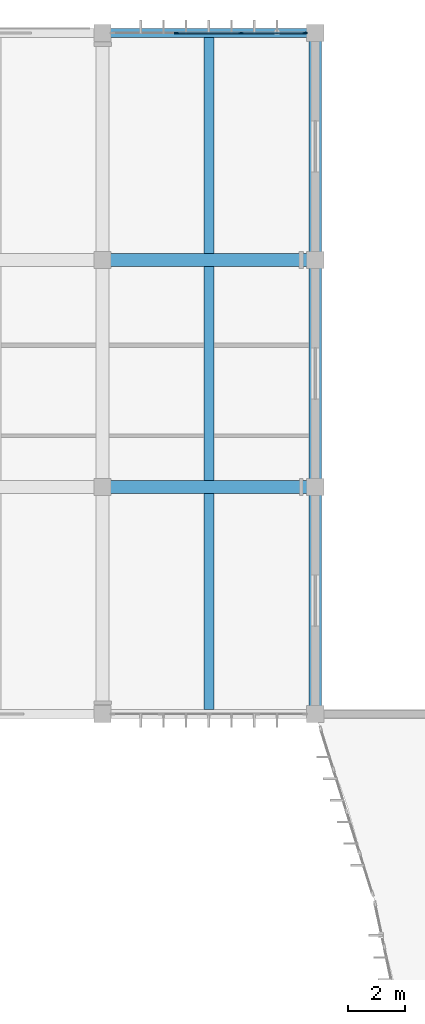
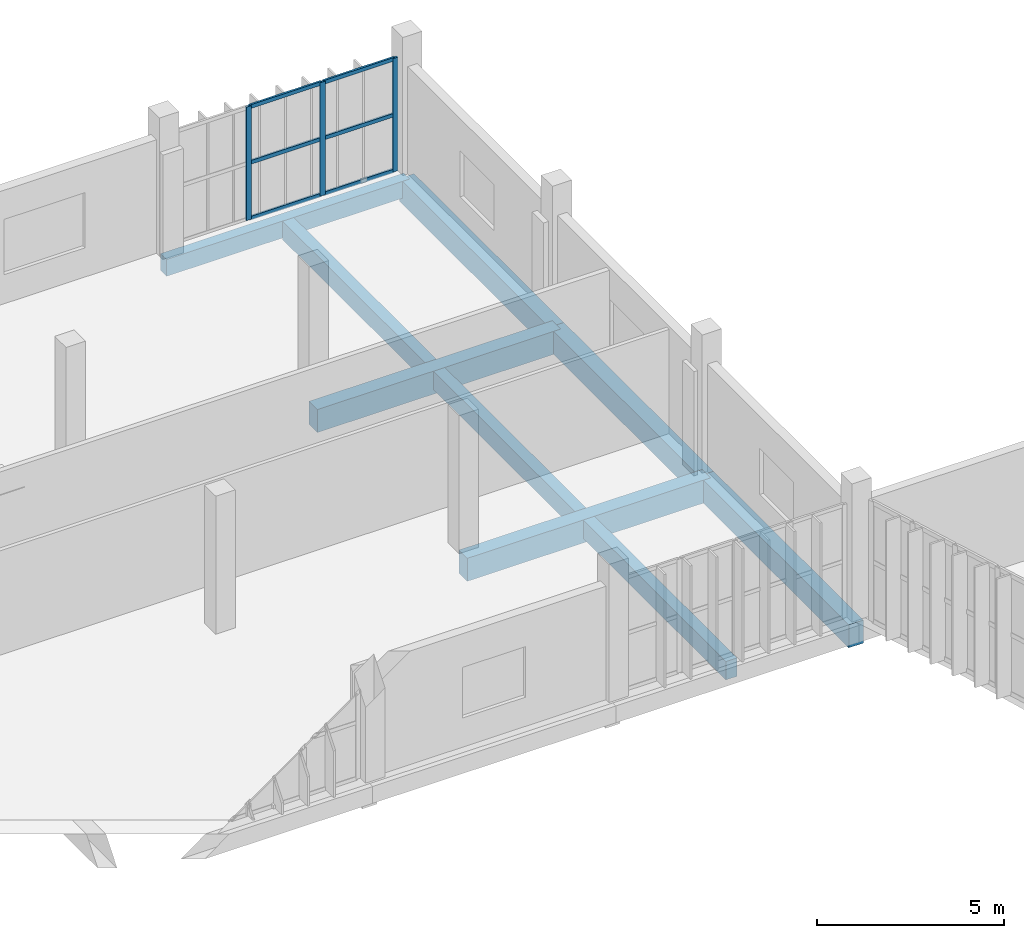
# One storey, part 38 of 81: 9 beams, 9 members, 1 element without a shape of its own.
"""IFC4 building model written with IfcOpenShell, lengths in metres."""

import ifcopenshell
import ifcopenshell.guid

model = None  # the IFC model being written
_history = None  # IfcOwnerHistory: only IFC2X3 demands one
_inside = {}  # id of a spatial element -> (the spatial element, [elements in it])
_under = {}  # id of a project, library or spatial element -> (it, [spatial elements below it])
_declared = {}  # id of a project -> (the project, [libraries it declares])
_typed = {}  # id of a type object -> (the type object, [elements of that type])
_made_of = {}  # id of a material, layer set ... -> (it, [elements and type objects made of it])


def new_model(schema):
    """Start an empty IFC model of exactly this schema.

    Asked for "IFC4X3", IfcOpenShell would pick the latest addendum, in which some entities
    have other attributes; the version numbers below select the first issue.
    IFC2X3 requires an IfcOwnerHistory on every rooted entity: one is made here for all.
    """
    global model, _history
    if schema == "IFC4X3":
        model = ifcopenshell.file(schema_version=(4, 3, 0, 0))
    else:
        model = ifcopenshell.file(schema=schema)
    _inside.clear()
    _under.clear()
    _declared.clear()
    _typed.clear()
    _made_of.clear()
    _history = None
    if model.schema == "IFC2X3":
        org = make("IfcOrganization", Name="unknown")
        user = make(
            "IfcPersonAndOrganization",
            ThePerson=make("IfcPerson", FamilyName="unknown"),
            TheOrganization=org,
        )
        app = make(
            "IfcApplication",
            ApplicationDeveloper=org,
            Version="unknown",
            ApplicationFullName="unknown",
            ApplicationIdentifier="unknown",
        )
        _history = make(
            "IfcOwnerHistory",
            OwningUser=user,
            OwningApplication=app,
            ChangeAction="ADDED",
            CreationDate=0,
        )
    return model


def make(cls, **values):
    """One entity of the class cls with the attributes given. An attribute that is None is left unset."""
    return model.create_entity(
        cls, **{name: value for name, value in values.items() if value is not None}
    )


def rooted(cls, **values):
    """An entity with a GlobalId (a new one), such as an element, a storey or a relation."""
    return make(cls, GlobalId=ifcopenshell.guid.new(), OwnerHistory=_history, **values)


def si_unit(unit_type, name, prefix=None):
    """IfcSIUnit, for example si_unit("LENGTHUNIT", "METRE", prefix="MILLI")."""
    return make("IfcSIUnit", UnitType=unit_type, Prefix=prefix, Name=name)


def assignment(units):
    """IfcUnitAssignment: the units of a project."""
    return None if units is None else make("IfcUnitAssignment", Units=units)


def point(xyz):
    """IfcCartesianPoint."""
    return None if xyz is None else make("IfcCartesianPoint", Coordinates=xyz)


def direction(xyz):
    """IfcDirection."""
    return None if xyz is None else make("IfcDirection", DirectionRatios=xyz)


def frame(location, z_axis=None, x_axis=None):
    """IfcAxis2Placement3D, a coordinate frame: its origin and axes. An axis left out is left unset."""
    return make(
        "IfcAxis2Placement3D",
        Location=point(location),
        Axis=direction(z_axis),
        RefDirection=direction(x_axis),
    )


def frame_2d(location, x_axis=None):
    """IfcAxis2Placement2D, a coordinate frame in the plane: its origin and x axis."""
    return make(
        "IfcAxis2Placement2D", Location=point(location), RefDirection=direction(x_axis)
    )


def origin():
    """The frame at (0, 0, 0) with its axes left unset."""
    return frame((0.0, 0.0, 0.0))


def origin_2d():
    """The frame at (0, 0) in the plane with its x axis left unset."""
    return frame_2d((0.0, 0.0))


def place(relative_to, where):
    """IfcLocalPlacement: puts the frame where relative to a parent placement (None: the world)."""
    return make(
        "IfcLocalPlacement", PlacementRelTo=relative_to, RelativePlacement=where
    )


def context(
    kind, dimensions, precision=None, world=None, true_north=None, identifier=None
):
    """IfcGeometricRepresentationContext, for example the 3D "Model" context."""
    return make(
        "IfcGeometricRepresentationContext",
        ContextIdentifier=identifier,
        ContextType=kind,
        CoordinateSpaceDimension=dimensions,
        Precision=precision,
        WorldCoordinateSystem=world,
        TrueNorth=true_north,
    )


def subcontext(parent, identifier, kind, view, scale=None):
    """IfcGeometricRepresentationSubContext, for example "Body" below "Model"."""
    return make(
        "IfcGeometricRepresentationSubContext",
        ContextIdentifier=identifier,
        ContextType=kind,
        ParentContext=parent,
        TargetScale=scale,
        TargetView=view,
    )


def project(units=None, contexts=None):
    """IfcProject with its units and contexts."""
    return rooted(
        "IfcProject",
        Name="project",
        RepresentationContexts=contexts,
        UnitsInContext=assignment(units),
    )


def spatial(cls, under=None, at=None, **own):
    """A site, building, storey or space (cls), placed at a placement, below another one or the project."""
    s = rooted(cls, ObjectPlacement=at, **own)
    if under is not None:
        _under.setdefault(under.id(), (under, []))[1].append(s)
    return s


def profile(cls, at=None, kind="AREA", **sizes):
    """A parametric profile (cls). Its sizes go by their IFC names, for example OverallWidth=200.0."""
    return make(cls, ProfileType=kind, Position=at, **sizes)


def rectangle(**sizes):
    """IfcRectangleProfileDef."""
    return profile("IfcRectangleProfileDef", **sizes)


def extrude(swept, where, along, depth):
    """IfcExtrudedAreaSolid: the profile swept, set in the frame where, extruded along a direction by depth."""
    return make(
        "IfcExtrudedAreaSolid",
        SweptArea=swept,
        Position=where,
        ExtrudedDirection=direction(along),
        Depth=depth,
    )


def shape(context_of_items, identifier, shape_type, items):
    """IfcShapeRepresentation: the items that make up one representation, for example the "Body"."""
    return make(
        "IfcShapeRepresentation",
        ContextOfItems=context_of_items,
        RepresentationIdentifier=identifier,
        RepresentationType=shape_type,
        Items=items,
    )


def material(Name=None, Category=None):
    """IfcMaterial."""
    return make("IfcMaterial", Name=Name, Category=Category)


def material_profile(
    of_material, cross_section, Name=None, Category=None, Priority=None
):
    """IfcMaterialProfile: a cross section and its material."""
    return make(
        "IfcMaterialProfile",
        Name=Name,
        Material=of_material,
        Profile=cross_section,
        Priority=Priority,
        Category=Category,
    )


def profile_set(profiles, Name=None, composite=None):
    """IfcMaterialProfileSet."""
    return make(
        "IfcMaterialProfileSet",
        Name=Name,
        MaterialProfiles=profiles,
        CompositeProfile=composite,
    )


def made_of(thing, what):
    """Note that an element or type object is made of a material, layer set ...; save() writes the relation."""
    if what is not None:
        _made_of.setdefault(what.id(), (what, []))[1].append(thing)
    return thing


def type_object(cls, material=None, **own):
    """A type object (cls), such as IfcWallType, which elements share."""
    return made_of(rooted(cls, **own), material)


def element(
    cls,
    number,
    at=None,
    inside=None,
    cuts=None,
    type_object=None,
    material=None,
    context=None,
    identifier="Body",
    shape_type=None,
    held_by="IfcProductDefinitionShape",
    body=None,
    shapes=None,
    **own,
):
    """One element of the class cls, such as IfcWall. Its Tag is "e" and its number.

    at: its placement. inside: the storey or other place that contains it. cuts: it is an
    opening in that element (IfcRelVoidsElement). A single representation is given by context,
    identifier, shape_type and body (its items); several are given by shapes. held_by: the class
    of the entity that holds the representations. save() writes the other relations.
    """
    e = rooted(cls, Tag="e%d" % number, ObjectPlacement=at, **own)
    if body is not None:
        shapes = [shape(context, identifier, shape_type, body)]
    if shapes is not None:
        e.Representation = make(held_by, Representations=shapes)
    if inside is not None:
        _inside.setdefault(inside.id(), (inside, []))[1].append(e)
    if cuts is not None:
        rooted(
            "IfcRelVoidsElement", RelatingBuildingElement=cuts, RelatedOpeningElement=e
        )
    if type_object is not None:
        _typed.setdefault(type_object.id(), (type_object, []))[1].append(e)
    return made_of(e, material)


def aggregate(whole, parts):
    """IfcRelAggregates: a whole, such as a stair, and the parts it consists of."""
    return rooted("IfcRelAggregates", RelatingObject=whole, RelatedObjects=parts)


def save(model, path):
    """Write the relations noted so far, then the file.

    IfcRelAggregates (storeys below a building ...), IfcRelContainedInSpatialStructure (elements
    in a storey), IfcRelDefinesByType, IfcRelAssociatesMaterial and IfcRelDeclares: one each for
    every whole, place, type object, material and project.
    """
    for whole, parts in _under.values():
        aggregate(whole, parts)
    for where, things in _inside.values():
        rooted(
            "IfcRelContainedInSpatialStructure",
            RelatedElements=things,
            RelatingStructure=where,
        )
    for kind, things in _typed.values():
        rooted("IfcRelDefinesByType", RelatedObjects=things, RelatingType=kind)
    for what, things in _made_of.values():
        rooted("IfcRelAssociatesMaterial", RelatedObjects=things, RelatingMaterial=what)
    for by, libraries in _declared.values():
        rooted("IfcRelDeclares", RelatingContext=by, RelatedDefinitions=libraries)
    model.write(path)


model = new_model("IFC4")

# Units and contexts
model_context = context("Model", 3, precision=1e-05, world=origin(), true_north=direction((0.0, 1.0)))
body_context = subcontext(model_context, "Body", "Model", "MODEL_VIEW")
ifc_project = project(units=[si_unit("LENGTHUNIT", "METRE"), si_unit("AREAUNIT", "SQUARE_METRE"), si_unit("VOLUMEUNIT", "CUBIC_METRE"), si_unit("PLANEANGLEUNIT", "RADIAN"), si_unit("MASSUNIT", "GRAM", prefix="KILO")], contexts=[model_context])

# Site, building, storey
site_placement = place(None, origin())
site = spatial("IfcSite", under=ifc_project, at=site_placement, CompositionType="ELEMENT")
building_placement = place(site_placement, origin())
building = spatial("IfcBuilding", under=site, at=building_placement, Name="Vourika Railside Aquatics Centre", CompositionType="ELEMENT")
storey_placement = place(building_placement, frame((0.0, 0.0, 4.800048828125)))
storey = spatial("IfcBuildingStorey", under=building, at=storey_placement, Name="L01", CompositionType="ELEMENT", Elevation=4.800048828125)

# Beams
ifc_material_1 = material(Name="Concrete C35/45", Category="concrete")
ifc_material_profile_1 = material_profile(ifc_material_1, rectangle(XDim=0.449951171875, YDim=0.75, at=origin_2d()), Name="RC 450x750")
ifc_profile_set_1 = profile_set([ifc_material_profile_1], Name="Concrete C35/45")
beam_type_1 = type_object("IfcBeamType", Name="BM-GIRD-450x750", PredefinedType="BEAM", material=ifc_profile_set_1)
for number, where, z_axis, x_axis, name in (
    (1, (126.0, 100.0, -0.675048828125), (1.0, 0.0, 0.0), (0.0, 1.0, 0.0), "Floor Beam GX-L01-138"),
    (2, (126.0, 108.0, -0.675048828125), (1.0, 0.0, 0.0), (0.0, 1.0, 0.0), "Floor Beam GX-L01-153"),
):
    element("IfcBeam", number, at=place(storey_placement, frame(where, z_axis=z_axis, x_axis=x_axis)), inside=storey, type_object=beam_type_1, Name=name, PredefinedType="BEAM", context=body_context, shape_type="SweptSolid", body=[
        extrude(rectangle(XDim=0.449951171875, YDim=0.75, at=origin_2d()), origin(), (0.0, 0.0, 1.0), 7.5),
    ])
for number, where, z_axis, x_axis, name in (
    (3, (133.5, 92.0, -0.675048828125), (0.0, 1.0, 0.0), (-1.0, 0.0, 0.0), "Floor Girder GY-L01-265"),
    (4, (133.5, 100.0, -0.675048828125), (0.0, 1.0, 0.0), (-1.0, 0.0, 0.0), "Floor Girder GY-L01-266"),
    (5, (133.5, 108.0, -0.675048828125), (0.0, 1.0, 0.0), (-1.0, 0.0, 0.0), "Floor Girder GY-L01-267"),
):
    element("IfcBeam", number, at=place(storey_placement, frame(where, z_axis=z_axis, x_axis=x_axis)), inside=storey, type_object=beam_type_1, Name=name, PredefinedType="BEAM", context=body_context, shape_type="SweptSolid", body=[
        extrude(rectangle(XDim=0.449951171875, YDim=0.75, at=origin_2d()), origin(), (0.0, 0.0, 1.0), 8.0),
    ])
ifc_material_profile_2 = material_profile(ifc_material_1, rectangle(XDim=0.35009765625, YDim=0.60009765625, at=origin_2d()), Name="RC 350x600")
ifc_profile_set_2 = profile_set([ifc_material_profile_2], Name="Concrete C35/45")
beam_type_2 = type_object("IfcBeamType", Name="BM-SEC-350x600", PredefinedType="JOIST", material=ifc_profile_set_2)
beam_1_placement = place(storey_placement, frame((129.75, 92.159912109375, -0.60009765625), z_axis=(0.0, 1.0, 0.0), x_axis=(-1.0, 0.0, 0.0)))
element("IfcBeam", 6, at=beam_1_placement, inside=storey, type_object=beam_type_2, Name="Secondary Joist JY-L01-365", PredefinedType="JOIST", context=body_context, shape_type="SweptSolid", body=[
    extrude(rectangle(XDim=0.35009765625, YDim=0.60009765625, at=origin_2d()), origin(), (0.0, 0.0, 1.0), 7.614990234375),
])
beam_2_placement = place(storey_placement, frame((129.75, 100.22509765625, -0.60009765625), z_axis=(0.0, 1.0, 0.0), x_axis=(-1.0, 0.0, 0.0)))
element("IfcBeam", 7, at=beam_2_placement, inside=storey, type_object=beam_type_2, Name="Secondary Joist JY-L01-380", PredefinedType="JOIST", context=body_context, shape_type="SweptSolid", body=[
    extrude(rectangle(XDim=0.35009765625, YDim=0.60009765625, at=origin_2d()), origin(), (0.0, 0.0, 1.0), 7.5498046875),
])
beam_3_placement = place(storey_placement, frame((129.75, 108.22509765625, -0.60009765625), z_axis=(0.0, 1.0, 0.0), x_axis=(-1.0, 0.0, 0.0)))
element("IfcBeam", 8, at=beam_3_placement, inside=storey, type_object=beam_type_2, Name="Secondary Joist JY-L01-389", PredefinedType="JOIST", context=body_context, shape_type="SweptSolid", body=[
    extrude(rectangle(XDim=0.35009765625, YDim=0.60009765625, at=origin_2d()), origin(), (0.0, 0.0, 1.0), 7.614990234375),
])
ifc_material_profile_3 = material_profile(ifc_material_1, rectangle(XDim=0.320068359375, YDim=0.550048828125, at=origin_2d()), Name="RC 320x550")
ifc_profile_set_3 = profile_set([ifc_material_profile_3], Name="Concrete C35/45")
beam_type_3 = type_object("IfcBeamType", Name="BM-SPAN-320x550", PredefinedType="SPANDREL", material=ifc_profile_set_3)
beam_4_placement = place(storey_placement, frame((126.0, 116.0, -0.574951171875), z_axis=(1.0, 0.0, 0.0), x_axis=(0.0, 1.0, 0.0)))
element("IfcBeam", 9, at=beam_4_placement, inside=storey, type_object=beam_type_3, Name="Floor Beam GX-L01-168", PredefinedType="SPANDREL", context=body_context, shape_type="SweptSolid", body=[
    extrude(rectangle(XDim=0.320068359375, YDim=0.550048828125, at=origin_2d()), origin(), (0.0, 0.0, 1.0), 7.5),
])

# Curtain wall, members
ifc_material_2 = material(Name="Anodized thermally broken aluminium", Category="aluminium")
curtain_wall_type = type_object("IfcCurtainWallType", Name="CW-FIT1", PredefinedType="NOTDEFINED", material=ifc_material_2)
curtain_wall_placement = place(storey_placement, origin())
curtain_wall = element("IfcCurtainWall", 10, at=curtain_wall_placement, inside=storey, type_object=curtain_wall_type, Name="North Boulevard Curtain Wall L01-15", PredefinedType="NOTDEFINED")
ifc_material_3 = material(Name="Anodized aluminium mullion", Category="aluminium")
ifc_material_profile_4 = material_profile(ifc_material_3, rectangle(XDim=0.06201171875, YDim=0.156005859375, at=origin_2d()), Name="ALU-M 62x156")
ifc_profile_set_4 = profile_set([ifc_material_profile_4], Name="Anodized aluminium mullion")
member_type_1 = type_object("IfcMemberType", Name="CWM-FIT1", PredefinedType="MULLION", material=ifc_profile_set_4)
member_1_placement = place(storey_placement, frame((133.138916015625, 116.0, 0.0), z_axis=(0.0, 0.0, 1.0), x_axis=(0.0, -1.0, 0.0)))
member_1 = element("IfcMember", 11, at=member_1_placement, type_object=member_type_1, Name="CW15 mullion 1", PredefinedType="MULLION", context=body_context, shape_type="SweptSolid", body=[
    extrude(rectangle(XDim=0.06201171875, YDim=0.156005859375, at=origin_2d()), origin(), (0.0, 0.0, 1.0), 3.699951171875),
])
member_2_placement = place(storey_placement, frame((130.889892578125, 116.0, 0.0), z_axis=(0.0, 0.0, 1.0), x_axis=(0.0, -1.0, 0.0)))
member_2 = element("IfcMember", 12, at=member_2_placement, type_object=member_type_1, Name="CW15 mullion 2", PredefinedType="MULLION", context=body_context, shape_type="SweptSolid", body=[
    extrude(rectangle(XDim=0.06201171875, YDim=0.156005859375, at=origin_2d()), origin(), (0.0, 0.0, 1.0), 3.699951171875),
])
member_3_placement = place(storey_placement, frame((128.610107421875, 116.0, 0.0), z_axis=(0.0, 0.0, 1.0), x_axis=(0.0, -1.0, 0.0)))
member_3 = element("IfcMember", 13, at=member_3_placement, type_object=member_type_1, Name="CW15 mullion 3", PredefinedType="MULLION", context=body_context, shape_type="SweptSolid", body=[
    extrude(rectangle(XDim=0.06201171875, YDim=0.156005859375, at=origin_2d()), origin(), (0.0, 0.0, 1.0), 3.699951171875),
])
ifc_material_4 = material(Name="Anodized aluminium transom", Category="aluminium")
ifc_material_profile_5 = material_profile(ifc_material_4, rectangle(XDim=0.06201171875, YDim=0.1220703125, at=origin_2d()), Name="ALU-T 62x122")
ifc_profile_set_5 = profile_set([ifc_material_profile_5], Name="Anodized aluminium transom")
member_type_2 = type_object("IfcMemberType", Name="CWT-FIT1", PredefinedType="USERDEFINED", material=ifc_profile_set_5)
member_4_placement = place(storey_placement, frame((133.10791015625, 116.0, 0.031005859375), z_axis=(-1.0, 0.0, 0.0), x_axis=(0.0, -1.0, 0.0)))
member_4 = element("IfcMember", 14, at=member_4_placement, type_object=member_type_2, Name="CW15 transom 1.1", ObjectType="TRANSOM", PredefinedType="USERDEFINED", context=body_context, shape_type="SweptSolid", body=[
    extrude(rectangle(XDim=0.06201171875, YDim=0.1220703125, at=origin_2d()), origin(), (0.0, 0.0, 1.0), 2.18701171875),
])
member_5_placement = place(storey_placement, frame((133.10791015625, 116.0, 1.849853515625), z_axis=(-1.0, 0.0, 0.0), x_axis=(0.0, -1.0, 0.0)))
member_5 = element("IfcMember", 15, at=member_5_placement, type_object=member_type_2, Name="CW15 transom 1.2", ObjectType="TRANSOM", PredefinedType="USERDEFINED", context=body_context, shape_type="SweptSolid", body=[
    extrude(rectangle(XDim=0.06201171875, YDim=0.1220703125, at=origin_2d()), origin(), (0.0, 0.0, 1.0), 2.18701171875),
])
member_6_placement = place(storey_placement, frame((133.10791015625, 116.0, 3.6689453125), z_axis=(-1.0, 0.0, 0.0), x_axis=(0.0, -1.0, 0.0)))
member_6 = element("IfcMember", 16, at=member_6_placement, type_object=member_type_2, Name="CW15 transom 1.3", ObjectType="TRANSOM", PredefinedType="USERDEFINED", context=body_context, shape_type="SweptSolid", body=[
    extrude(rectangle(XDim=0.06201171875, YDim=0.1220703125, at=origin_2d()), origin(), (0.0, 0.0, 1.0), 2.18701171875),
])
member_7_placement = place(storey_placement, frame((130.85888671875, 116.0, 0.031005859375), z_axis=(-1.0, 0.0, 0.0), x_axis=(0.0, -1.0, 0.0)))
member_7 = element("IfcMember", 17, at=member_7_placement, type_object=member_type_2, Name="CW15 transom 2.1", ObjectType="TRANSOM", PredefinedType="USERDEFINED", context=body_context, shape_type="SweptSolid", body=[
    extrude(rectangle(XDim=0.06201171875, YDim=0.1220703125, at=origin_2d()), origin(), (0.0, 0.0, 1.0), 2.2177734375),
])
member_8_placement = place(storey_placement, frame((130.85888671875, 116.0, 1.849853515625), z_axis=(-1.0, 0.0, 0.0), x_axis=(0.0, -1.0, 0.0)))
member_8 = element("IfcMember", 18, at=member_8_placement, type_object=member_type_2, Name="CW15 transom 2.2", ObjectType="TRANSOM", PredefinedType="USERDEFINED", context=body_context, shape_type="SweptSolid", body=[
    extrude(rectangle(XDim=0.06201171875, YDim=0.1220703125, at=origin_2d()), origin(), (0.0, 0.0, 1.0), 2.2177734375),
])
member_9_placement = place(storey_placement, frame((130.85888671875, 116.0, 3.6689453125), z_axis=(-1.0, 0.0, 0.0), x_axis=(0.0, -1.0, 0.0)))
member_9 = element("IfcMember", 19, at=member_9_placement, type_object=member_type_2, Name="CW15 transom 2.3", ObjectType="TRANSOM", PredefinedType="USERDEFINED", context=body_context, shape_type="SweptSolid", body=[
    extrude(rectangle(XDim=0.06201171875, YDim=0.1220703125, at=origin_2d()), origin(), (0.0, 0.0, 1.0), 2.2177734375),
])
aggregate(curtain_wall, [member_1, member_2, member_3, member_4, member_5, member_6, member_7, member_8, member_9])

save(model, "model.ifc")
